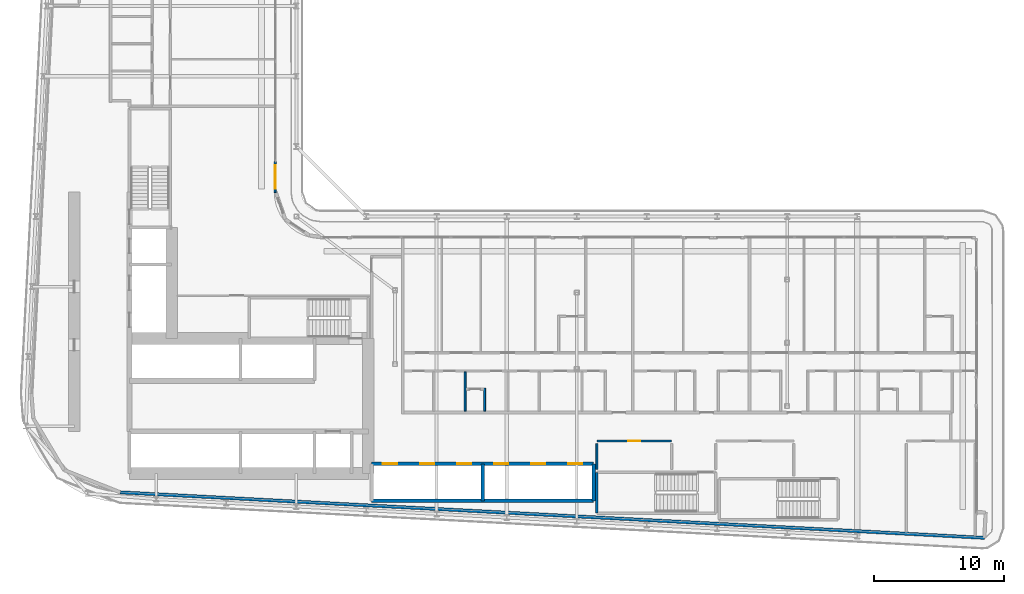
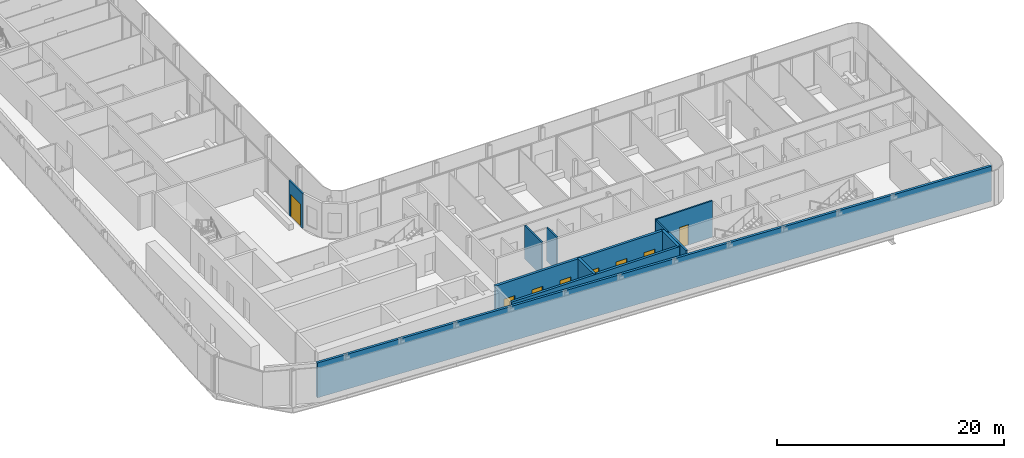
# One storey, part 14 of 28: 11 walls, 8 doors, 8 openings.
"""IFC4 building model written with IfcOpenShell, lengths in metres."""

from ifc_helpers import new_model, si_unit, direction, frame, frame_2d, origin, place, context, subcontext, project, spatial, rectangle, extrude, source, transform, mapped, material, layer, layer_set, type_object, element, fill, save


model = new_model("IFC4")

# Units and contexts
model_context = context("Model", 3, precision=1e-05, world=origin(), true_north=direction((0.0, 1.0)))
body_context = subcontext(model_context, "Body", "Model", "MODEL_VIEW")
ifc_project = project(units=[si_unit("LENGTHUNIT", "METRE"), si_unit("AREAUNIT", "SQUARE_METRE"), si_unit("VOLUMEUNIT", "CUBIC_METRE"), si_unit("PLANEANGLEUNIT", "RADIAN"), si_unit("MASSUNIT", "GRAM", prefix="KILO")], contexts=[model_context])

# Site, building, storey
site_placement = place(None, origin())
site = spatial("IfcSite", under=ifc_project, at=site_placement, CompositionType="ELEMENT")
building_placement = place(site_placement, origin())
building = spatial("IfcBuilding", under=site, at=building_placement, Name="Kheshtan School and Residences Tower", CompositionType="ELEMENT")
storey_placement = place(building_placement, frame((0.0, 0.0, 140.89990234375)))
storey = spatial("IfcBuildingStorey", under=building, at=storey_placement, Name="L33", CompositionType="ELEMENT", Elevation=140.89990234375)

# Wall
ifc_material_1 = material(Name="Concrete C40/50 with ceramic cladding and mineral wool insulation", Category="concrete")
ifc_layer_1 = layer(ifc_material_1, 0.25)
ifc_layer_set_1 = layer_set([ifc_layer_1], Name="External wall 250 ceramic clad")
wall_type_1 = type_object("IfcWallType", Name="External wall 250 ceramic clad", PredefinedType="SOLIDWALL", material=ifc_layer_set_1)
wall_1_placement = place(storey_placement, frame((100.5859375, 20.85009765625, 0.0), z_axis=(0.0, 0.0, 1.0), x_axis=(-0.99861746497, 0.052565755559, 0.0)))
element("IfcWall", 1, at=wall_1_placement, inside=storey, type_object=wall_type_1, Name="External wall L33 16", PredefinedType="SOLIDWALL", context=body_context, shape_type="SweptSolid", body=[
    extrude(rectangle(XDim=66.638916015625, YDim=0.25, at=frame_2d((33.3193359375, 0.0))), origin(), (0.0, 0.0, 1.0), 3.75),
])

# Wall, opening, door
ifc_material_2 = material(Name="Aluminium frame wall with insulated infill", Category="aluminium")
ifc_layer_2 = layer(ifc_material_2, 0.14990234375)
ifc_layer_set_2 = layer_set([ifc_layer_2], Name="Glazing frame wall 150")
wall_type_2 = type_object("IfcWallType", Name="Glazing frame wall 150", PredefinedType="SOLIDWALL", material=ifc_layer_set_2)
wall_2_placement = place(storey_placement, frame((45.97509765625, 49.830078125, 0.0), z_axis=(0.0, 0.0, 1.0), x_axis=(0.0, -1.0, 0.0)))
wall_2 = element("IfcWall", 2, at=wall_2_placement, inside=storey, type_object=wall_type_2, Name="Balcony door wall L33 8.5", PredefinedType="SOLIDWALL", context=body_context, shape_type="SweptSolid", body=[
    extrude(rectangle(XDim=2.400146484375, YDim=0.14990234375, at=frame_2d((1.2001953125, 0.0))), origin(), (0.0, 0.0, 1.0), 3.75),
])
opening_1_placement = place(wall_2_placement, frame((0.300048828125, 0.0, 0.0)))
opening_1 = element("IfcOpeningElement", 3, at=opening_1_placement, cuts=wall_2, Name="Opening BD", PredefinedType="OPENING", context=body_context, shape_type="SweptSolid", body=[
    extrude(rectangle(XDim=1.800048828125, YDim=2.39990234375, at=frame_2d((0.89990234375, 1.199951171875))), frame((0.0, 0.0849609375, 0.0), z_axis=(0.0, -1.0, 0.0), x_axis=(1.0, 0.0, 0.0)), (0.0, 0.0, 1.0), 0.169921875),
])
ifc_material_3 = material(Name="Clear low-e glass in thermally broken aluminium frame", Category="aluminium")
door_type_1 = type_object("IfcDoorType", Name="Balcony sliding door", OperationType="SLIDING_TO_LEFT", PredefinedType="DOOR", material=ifc_material_3)
shared_shape_1 = source(origin(), body_context, "Body", "SweptSolid", [
    extrude(rectangle(XDim=1.800048828125, YDim=2.39990234375, at=frame_2d((0.89990234375, 1.199951171875))), frame((0.0, 0.02490234375, 0.0), z_axis=(0.0, -1.0, 0.0), x_axis=(1.0, 0.0, 0.0)), (0.0, 0.0, 1.0), 0.050048828125),
])
door_1_placement = place(opening_1_placement, origin())
door_1 = element("IfcDoor", 4, at=door_1_placement, inside=storey, type_object=door_type_1, Name="Balcony door L33 8.5", OperationType="SLIDING_TO_LEFT", OverallHeight=2.39990234375, OverallWidth=1.800048828125, PredefinedType="DOOR", context=body_context, shape_type="MappedRepresentation", body=[
    mapped(shared_shape_1, transform((0.0, 0.0, 0.0), x_axis=(1.0, 0.0, 0.0), y_axis=(0.0, 1.0, 0.0), z_axis=(0.0, 0.0, 1.0), scale=1.0)),
])
fill(opening_1, door_1)

ifc_material_4 = material(Name="Fire-board shaft wall system")
ifc_layer_3 = layer(ifc_material_4, 0.14990234375)
ifc_layer_set_3 = layer_set([ifc_layer_3], Name="Service room wall 150")
wall_type_3 = type_object("IfcWallType", Name="Service room wall 150", PredefinedType="PARTITIONING", material=ifc_layer_set_3)
wall_3_placement = place(storey_placement, frame((70.75, 28.300048828125, 0.0), z_axis=(0.0, 0.0, 1.0), x_axis=(1.0, 0.0, 0.0)))
wall_3 = element("IfcWall", 5, at=wall_3_placement, inside=storey, type_object=wall_type_3, Name="Service room wall", PredefinedType="PARTITIONING", context=body_context, shape_type="SweptSolid", body=[
    extrude(rectangle(XDim=5.760009765625, YDim=0.14990234375, at=frame_2d((2.8798828125, 0.0))), origin(), (0.0, 0.0, 1.0), 3.900146484375),
])
opening_2_placement = place(wall_3_placement, frame((2.429931640625, 0.0, 0.0)))
opening_2 = element("IfcOpeningElement", 6, at=opening_2_placement, cuts=wall_3, Name="Opening SR90", PredefinedType="OPENING", context=body_context, shape_type="SweptSolid", body=[
    extrude(rectangle(XDim=0.89990234375, YDim=2.199951171875, at=frame_2d((0.449951171875, 1.10009765625))), frame((0.0, 0.0849609375, 0.0), z_axis=(0.0, -1.0, 0.0), x_axis=(1.0, 0.0, 0.0)), (0.0, 0.0, 1.0), 0.169921875),
])
ifc_material_5 = material(Name="Steel door leaf, galvanised", Category="steel")
door_type_2 = type_object("IfcDoorType", Name="Service room door 900 steel 90 min", OperationType="SINGLE_SWING_LEFT", PredefinedType="DOOR", material=ifc_material_5)
shared_shape_2 = source(origin(), body_context, "Body", "SweptSolid", [
    extrude(rectangle(XDim=0.89990234375, YDim=2.199951171875, at=frame_2d((0.449951171875, 1.10009765625))), frame((0.0, 0.02490234375, 0.0), z_axis=(0.0, -1.0, 0.0), x_axis=(1.0, 0.0, 0.0)), (0.0, 0.0, 1.0), 0.050048828125),
])
door_2_placement = place(opening_2_placement, origin())
door_2 = element("IfcDoor", 7, at=door_2_placement, inside=storey, type_object=door_type_2, Name="Service room door", OperationType="SINGLE_SWING_LEFT", OverallHeight=2.199951171875, OverallWidth=0.89990234375, PredefinedType="DOOR", context=body_context, shape_type="MappedRepresentation", body=[
    mapped(shared_shape_2, transform((0.0, 0.0, 0.0), x_axis=(1.0, 0.0, 0.0), y_axis=(0.0, 1.0, 0.0), z_axis=(0.0, 0.0, 1.0), scale=1.0)),
])
fill(opening_2, door_2)

# Walls
wall_4_placement = place(storey_placement, frame((70.75, 26.1201171875, 0.0), z_axis=(0.0, 0.0, 1.0), x_axis=(0.0, 1.0, 0.0)))
element("IfcWall", 8, at=wall_4_placement, inside=storey, type_object=wall_type_3, Name="Service room wall", PredefinedType="PARTITIONING", context=body_context, shape_type="SweptSolid", body=[
    extrude(rectangle(XDim=1.98486328125, YDim=0.14990234375, at=frame_2d((0.992431640625, 0.0))), origin(), (0.0, 0.0, 1.0), 3.900146484375),
])
ifc_layer_4 = layer(ifc_material_4, 0.25)
ifc_layer_set_4 = layer_set([ifc_layer_4], Name="Shaft lining wall 250")
wall_type_4 = type_object("IfcWallType", Name="Shaft lining wall 250", PredefinedType="PARTITIONING", material=ifc_layer_set_4)
for number, where, z_axis, x_axis, name in (
    (9, (61.949951171875, 23.699951171875, 0.0), (0.0, 0.0, 1.0), (0.0, 1.0, 0.0), "Shaft lining wall"),
    (10, (70.5, 23.699951171875, 0.0), (0.0, 0.0, 1.0), (0.0, 1.0, 0.0), "Shaft lining wall"),
):
    element("IfcWall", number, at=place(storey_placement, frame(where, z_axis=z_axis, x_axis=x_axis)), inside=storey, type_object=wall_type_4, Name=name, PredefinedType="PARTITIONING", context=body_context, shape_type="SweptSolid", body=[
        extrude(rectangle(XDim=2.85009765625, YDim=0.25, at=frame_2d((1.425048828125, 0.0))), origin(), (0.0, 0.0, 1.0), 3.900146484375),
    ])
wall_5_placement = place(storey_placement, frame((53.39990234375, 23.699951171875, 0.0), z_axis=(0.0, 0.0, 1.0), x_axis=(1.0, 0.0, 0.0)))
element("IfcWall", 11, at=wall_5_placement, inside=storey, type_object=wall_type_4, Name="Shaft lining wall", PredefinedType="PARTITIONING", context=body_context, shape_type="SweptSolid", body=[
    extrude(rectangle(XDim=17.10009765625, YDim=0.25, at=frame_2d((8.550048828125, 0.0))), origin(), (0.0, 0.0, 1.0), 3.900146484375),
])

# Wall, openings, doors
wall_6_placement = place(storey_placement, frame((53.39990234375, 26.550048828125, 0.0), z_axis=(0.0, 0.0, 1.0), x_axis=(1.0, 0.0, 0.0)))
wall_6 = element("IfcWall", 12, at=wall_6_placement, inside=storey, type_object=wall_type_4, Name="Shaft lining wall", PredefinedType="PARTITIONING", context=body_context, shape_type="SweptSolid", body=[
    extrude(rectangle(XDim=17.10009765625, YDim=0.25, at=frame_2d((8.550048828125, 0.0))), origin(), (0.0, 0.0, 1.0), 3.900146484375),
])
opening_3_placement = place(wall_6_placement, frame((0.875, 0.0, 0.0)))
opening_3 = element("IfcOpeningElement", 13, at=opening_3_placement, cuts=wall_6, Name="Opening LD", PredefinedType="OPENING", context=body_context, shape_type="SweptSolid", body=[
    extrude(rectangle(XDim=1.10009765625, YDim=2.199951171875, at=frame_2d((0.550048828125, 1.10009765625))), frame((0.0, 0.135009765625, 0.0), z_axis=(0.0, -1.0, 0.0), x_axis=(1.0, 0.0, 0.0)), (0.0, 0.0, 1.0), 0.27001953125),
])
opening_4_placement = place(wall_6_placement, frame((3.72509765625, 0.0, 0.0)))
opening_4 = element("IfcOpeningElement", 14, at=opening_4_placement, cuts=wall_6, Name="Opening LD", PredefinedType="OPENING", context=body_context, shape_type="SweptSolid", body=[
    extrude(rectangle(XDim=1.10009765625, YDim=2.199951171875, at=frame_2d((0.550048828125, 1.10009765625))), frame((0.0, 0.135009765625, 0.0), z_axis=(0.0, -1.0, 0.0), x_axis=(1.0, 0.0, 0.0)), (0.0, 0.0, 1.0), 0.27001953125),
])
opening_5_placement = place(wall_6_placement, frame((6.574951171875, 0.0, 0.0)))
opening_5 = element("IfcOpeningElement", 15, at=opening_5_placement, cuts=wall_6, Name="Opening LD", PredefinedType="OPENING", context=body_context, shape_type="SweptSolid", body=[
    extrude(rectangle(XDim=1.10009765625, YDim=2.199951171875, at=frame_2d((0.550048828125, 1.10009765625))), frame((0.0, 0.135009765625, 0.0), z_axis=(0.0, -1.0, 0.0), x_axis=(1.0, 0.0, 0.0)), (0.0, 0.0, 1.0), 0.27001953125),
])
opening_6_placement = place(wall_6_placement, frame((9.425048828125, 0.0, 0.0)))
opening_6 = element("IfcOpeningElement", 16, at=opening_6_placement, cuts=wall_6, Name="Opening LD", PredefinedType="OPENING", context=body_context, shape_type="SweptSolid", body=[
    extrude(rectangle(XDim=1.10009765625, YDim=2.199951171875, at=frame_2d((0.550048828125, 1.10009765625))), frame((0.0, 0.135009765625, 0.0), z_axis=(0.0, -1.0, 0.0), x_axis=(1.0, 0.0, 0.0)), (0.0, 0.0, 1.0), 0.27001953125),
])
opening_7_placement = place(wall_6_placement, frame((12.27490234375, 0.0, 0.0)))
opening_7 = element("IfcOpeningElement", 17, at=opening_7_placement, cuts=wall_6, Name="Opening LD", PredefinedType="OPENING", context=body_context, shape_type="SweptSolid", body=[
    extrude(rectangle(XDim=1.10009765625, YDim=2.199951171875, at=frame_2d((0.550048828125, 1.10009765625))), frame((0.0, 0.135009765625, 0.0), z_axis=(0.0, -1.0, 0.0), x_axis=(1.0, 0.0, 0.0)), (0.0, 0.0, 1.0), 0.27001953125),
])
opening_8_placement = place(wall_6_placement, frame((15.125, 0.0, 0.0)))
opening_8 = element("IfcOpeningElement", 18, at=opening_8_placement, cuts=wall_6, Name="Opening LD", PredefinedType="OPENING", context=body_context, shape_type="SweptSolid", body=[
    extrude(rectangle(XDim=1.10009765625, YDim=2.199951171875, at=frame_2d((0.550048828125, 1.10009765625))), frame((0.0, 0.135009765625, 0.0), z_axis=(0.0, -1.0, 0.0), x_axis=(1.0, 0.0, 0.0)), (0.0, 0.0, 1.0), 0.27001953125),
])
ifc_material_6 = material(Name="Stainless steel door leaves", Category="steel")
door_type_3 = type_object("IfcDoorType", Name="Lift landing door 1100", OperationType="SLIDING_TO_LEFT", PredefinedType="DOOR", material=ifc_material_6)
shared_shape_3 = source(origin(), body_context, "Body", "SweptSolid", [
    extrude(rectangle(XDim=1.10009765625, YDim=2.199951171875, at=frame_2d((0.550048828125, 1.10009765625))), frame((0.0, 0.02490234375, 0.0), z_axis=(0.0, -1.0, 0.0), x_axis=(1.0, 0.0, 0.0)), (0.0, 0.0, 1.0), 0.050048828125),
])
door_3_placement = place(opening_3_placement, origin())
door_3 = element("IfcDoor", 19, at=door_3_placement, inside=storey, type_object=door_type_3, Name="Lift P1 landing door", OperationType="SLIDING_TO_LEFT", OverallHeight=2.199951171875, OverallWidth=1.10009765625, PredefinedType="DOOR", context=body_context, shape_type="MappedRepresentation", body=[
    mapped(shared_shape_3, transform((0.0, 0.0, 0.0), x_axis=(1.0, 0.0, 0.0), y_axis=(0.0, 1.0, 0.0), z_axis=(0.0, 0.0, 1.0), scale=1.0)),
])
fill(opening_3, door_3)
door_4_placement = place(opening_4_placement, origin())
door_4 = element("IfcDoor", 20, at=door_4_placement, inside=storey, type_object=door_type_3, Name="Lift P2 landing door", OperationType="SLIDING_TO_LEFT", OverallHeight=2.199951171875, OverallWidth=1.10009765625, PredefinedType="DOOR", context=body_context, shape_type="MappedRepresentation", body=[
    mapped(shared_shape_3, transform((0.0, 0.0, 0.0), x_axis=(1.0, 0.0, 0.0), y_axis=(0.0, 1.0, 0.0), z_axis=(0.0, 0.0, 1.0), scale=1.0)),
])
fill(opening_4, door_4)
door_5_placement = place(opening_5_placement, origin())
door_5 = element("IfcDoor", 21, at=door_5_placement, inside=storey, type_object=door_type_3, Name="Lift P3 landing door", OperationType="SLIDING_TO_LEFT", OverallHeight=2.199951171875, OverallWidth=1.10009765625, PredefinedType="DOOR", context=body_context, shape_type="MappedRepresentation", body=[
    mapped(shared_shape_3, transform((0.0, 0.0, 0.0), x_axis=(1.0, 0.0, 0.0), y_axis=(0.0, 1.0, 0.0), z_axis=(0.0, 0.0, 1.0), scale=1.0)),
])
fill(opening_5, door_5)
door_6_placement = place(opening_6_placement, origin())
door_6 = element("IfcDoor", 22, at=door_6_placement, inside=storey, type_object=door_type_3, Name="Lift P4 landing door", OperationType="SLIDING_TO_LEFT", OverallHeight=2.199951171875, OverallWidth=1.10009765625, PredefinedType="DOOR", context=body_context, shape_type="MappedRepresentation", body=[
    mapped(shared_shape_3, transform((0.0, 0.0, 0.0), x_axis=(1.0, 0.0, 0.0), y_axis=(0.0, 1.0, 0.0), z_axis=(0.0, 0.0, 1.0), scale=1.0)),
])
fill(opening_6, door_6)
door_7_placement = place(opening_7_placement, origin())
door_7 = element("IfcDoor", 23, at=door_7_placement, inside=storey, type_object=door_type_3, Name="Lift P5 landing door", OperationType="SLIDING_TO_LEFT", OverallHeight=2.199951171875, OverallWidth=1.10009765625, PredefinedType="DOOR", context=body_context, shape_type="MappedRepresentation", body=[
    mapped(shared_shape_3, transform((0.0, 0.0, 0.0), x_axis=(1.0, 0.0, 0.0), y_axis=(0.0, 1.0, 0.0), z_axis=(0.0, 0.0, 1.0), scale=1.0)),
])
fill(opening_7, door_7)
door_8_placement = place(opening_8_placement, origin())
door_8 = element("IfcDoor", 24, at=door_8_placement, inside=storey, type_object=door_type_3, Name="Lift P6 landing door", OperationType="SLIDING_TO_LEFT", OverallHeight=2.199951171875, OverallWidth=1.10009765625, PredefinedType="DOOR", context=body_context, shape_type="MappedRepresentation", body=[
    mapped(shared_shape_3, transform((0.0, 0.0, 0.0), x_axis=(1.0, 0.0, 0.0), y_axis=(0.0, 1.0, 0.0), z_axis=(0.0, 0.0, 1.0), scale=1.0)),
])
fill(opening_8, door_8)

# Walls
ifc_material_7 = material(Name="Concrete C40/50", Category="concrete")
ifc_layer_5 = layer(ifc_material_7, 0.199951171875)
ifc_layer_set_5 = layer_set([ifc_layer_5], Name="Stair enclosure wall 200 Concrete C40/50")
wall_type_5 = type_object("IfcWallType", Name="Stair enclosure wall 200 Concrete C40/50", PredefinedType="SHEAR", material=ifc_layer_set_5)
wall_7_placement = place(storey_placement, frame((70.75, 22.75, 0.0), z_axis=(0.0, 0.0, 1.0), x_axis=(0.0, 1.0, 0.0)))
element("IfcWall", 25, at=wall_7_placement, inside=storey, type_object=wall_type_5, Name="Stair enclosure wall ST5", PredefinedType="SHEAR", context=body_context, shape_type="SweptSolid", body=[
    extrude(rectangle(XDim=3.14990234375, YDim=0.199951171875, at=frame_2d((1.574951171875, 0.0))), origin(), (0.0, 0.0, 1.0), 3.900146484375),
])
ifc_material_8 = material(Name="Moisture-resistant gypsum board on steel studs", Category="steel")
ifc_layer_6 = layer(ifc_material_8, 0.14990234375)
ifc_layer_set_6 = layer_set([ifc_layer_6], Name="Wet-room partition 150")
wall_type_6 = type_object("IfcWallType", Name="Wet-room partition 150", PredefinedType="PARTITIONING", material=ifc_layer_set_6)
wall_8_placement = place(storey_placement, frame((60.60009765625, 30.60009765625, 0.0), z_axis=(0.0, 0.0, 1.0), x_axis=(0.0, 1.0, 0.0)))
element("IfcWall", 26, at=wall_8_placement, inside=storey, type_object=wall_type_6, Name="Partition L33-051", PredefinedType="PARTITIONING", context=body_context, shape_type="SweptSolid", body=[
    extrude(rectangle(XDim=3.02490234375, YDim=0.14990234375, at=frame_2d((1.512451171875, 0.0))), origin(), (0.0, 0.0, 1.0), 3.60009765625),
])
wall_9_placement = place(storey_placement, frame((62.10009765625, 30.60009765625, 0.0), z_axis=(0.0, 0.0, 1.0), x_axis=(0.0, 1.0, 0.0)))
element("IfcWall", 27, at=wall_9_placement, inside=storey, type_object=wall_type_6, Name="Partition L33-054", PredefinedType="PARTITIONING", context=body_context, shape_type="SweptSolid", body=[
    extrude(rectangle(XDim=1.77490234375, YDim=0.14990234375, at=frame_2d((0.887451171875, 0.0))), origin(), (0.0, 0.0, 1.0), 3.60009765625),
])

save(model, "model.ifc")
